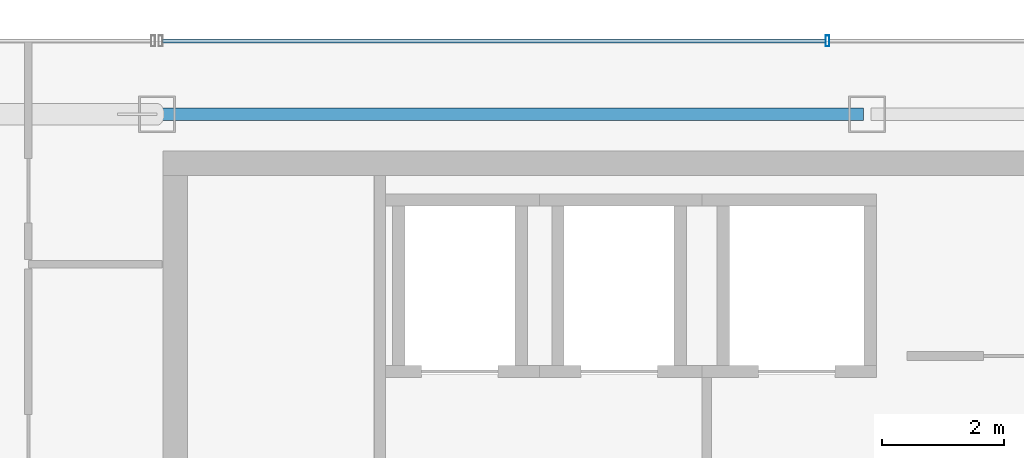
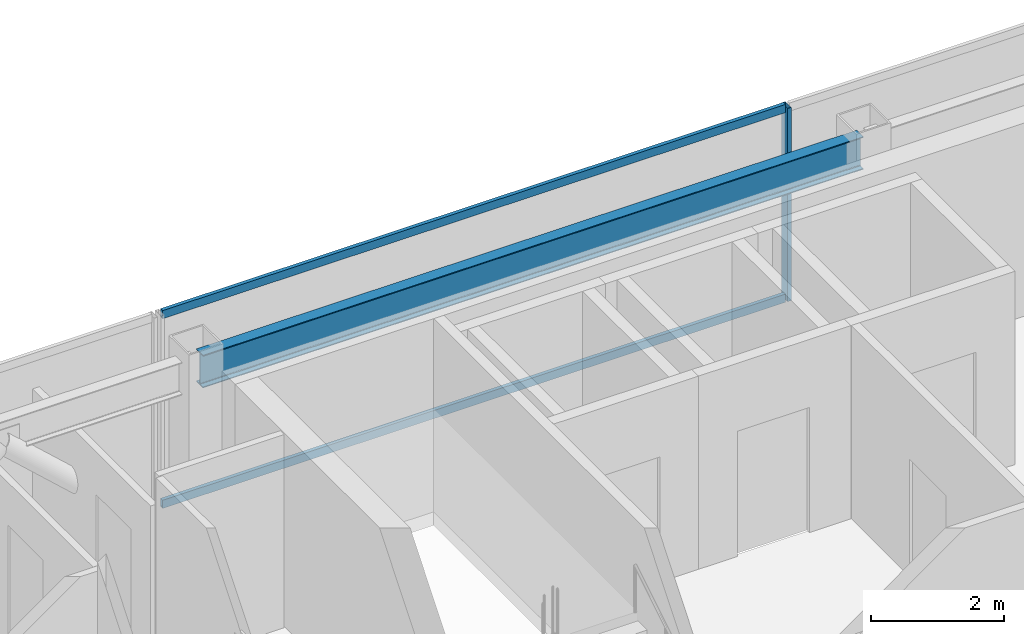
# One storey, part 10 of 24: 3 members, 1 beam, 1 element without a shape of its own.
"""IFC4 building model written with IfcOpenShell, lengths in metres."""

from ifc_helpers import new_model, si_unit, direction, frame, origin, origin_2d, place, context, subcontext, project, spatial, hollow_rectangle, i_section, extrude, material, material_profile, profile_set, type_object, element, aggregate, save


model = new_model("IFC4")

# Units and contexts
model_context = context("Model", 3, precision=1e-05, world=origin(), true_north=direction((0.0, 1.0)))
body_context = subcontext(model_context, "Body", "Model", "MODEL_VIEW")
ifc_project = project(units=[si_unit("LENGTHUNIT", "METRE"), si_unit("AREAUNIT", "SQUARE_METRE"), si_unit("VOLUMEUNIT", "CUBIC_METRE"), si_unit("PLANEANGLEUNIT", "RADIAN"), si_unit("MASSUNIT", "GRAM", prefix="KILO")], contexts=[model_context])

# Site, building, storey
site_placement = place(None, origin())
site = spatial("IfcSite", under=ifc_project, at=site_placement, CompositionType="ELEMENT")
building_placement = place(site_placement, origin())
building = spatial("IfcBuilding", under=site, at=building_placement, Name="Saevonmaru Cultural Tower", CompositionType="ELEMENT")
storey_placement = place(building_placement, frame((0.0, 0.0, 299.0)))
storey = spatial("IfcBuildingStorey", under=building, at=storey_placement, Name="L71", CompositionType="ELEMENT", Elevation=299.0)

# Beam
ifc_material_1 = material(Name="Steel SM355", Category="steel")
ifc_material_profile_1 = material_profile(ifc_material_1, i_section(OverallWidth=0.199951171875, OverallDepth=0.60009765625, WebThickness=0.010986328125, FlangeThickness=0.01708984375, FilletRadius=0.02197265625, at=origin_2d()), Name="H-600x200x11x17")
ifc_profile_set_1 = profile_set([ifc_material_profile_1], Name="Steel SM355")
beam_type = type_object("IfcBeamType", Name="BM-SP-H600", PredefinedType="SPANDREL", material=ifc_profile_set_1)
beam_placement = place(storey_placement, frame((13.659912109375, 54.800048828125, 3.25), z_axis=(1.0, 0.0, 0.0), x_axis=(0.0, 1.0, 0.0)))
element("IfcBeam", 1, at=beam_placement, inside=storey, type_object=beam_type, Name="L71 North Spine Girder 2", PredefinedType="SPANDREL", context=body_context, shape_type="SweptSolid", body=[
    extrude(i_section(OverallWidth=0.199951171875, OverallDepth=0.60009765625, WebThickness=0.010986328125, FlangeThickness=0.01708984375, FilletRadius=0.02197265625, at=origin_2d()), origin(), (0.0, 0.0, 1.0), 11.47998046875),
])

# Curtain wall, members
ifc_material_2 = material(Name="Satin Bronze Anodised Aluminium", Category="aluminium")
curtain_wall_type = type_object("IfcCurtainWallType", Name="CW-TYP-B", PredefinedType="NOTDEFINED", material=ifc_material_2)
curtain_wall_placement = place(storey_placement, origin())
curtain_wall = element("IfcCurtainWall", 2, at=curtain_wall_placement, inside=storey, type_object=curtain_wall_type, Name="L71 North Spine Unitised Curtain Wall E10B", PredefinedType="NOTDEFINED")
ifc_material_profile_2 = material_profile(ifc_material_2, hollow_rectangle(XDim=0.06494140625, YDim=0.179931640625, WallThickness=0.00390625, at=origin_2d()), Name="ALU-MULL-180x65x4")
ifc_profile_set_2 = profile_set([ifc_material_profile_2], Name="Satin Bronze Anodised Aluminium")
member_type_1 = type_object("IfcMemberType", Name="ML-CW-180x65", PredefinedType="MULLION", material=ifc_profile_set_2)
member_1_placement = place(storey_placement, frame((24.55322265625, 56.0, 0.0), z_axis=(0.0, 0.0, 1.0), x_axis=(-1.0, 0.0, 0.0)))
member_1 = element("IfcMember", 3, at=member_1_placement, type_object=member_type_1, Name="CW-TW-L71-E10B mullion 3", PredefinedType="MULLION", context=body_context, shape_type="SweptSolid", body=[
    extrude(hollow_rectangle(XDim=0.06494140625, YDim=0.179931640625, WallThickness=0.00390625, at=origin_2d()), origin(), (0.0, 0.0, 1.0), 3.550048828125),
])
ifc_material_profile_3 = material_profile(ifc_material_2, hollow_rectangle(XDim=0.06494140625, YDim=0.14990234375, WallThickness=0.00390625, at=origin_2d()), Name="ALU-TRAN-150x65x4")
ifc_profile_set_3 = profile_set([ifc_material_profile_3], Name="Satin Bronze Anodised Aluminium")
member_type_2 = type_object("IfcMemberType", Name="TR-CW-150x65", PredefinedType="USERDEFINED", material=ifc_profile_set_3)
member_2_placement = place(storey_placement, frame((24.520751953125, 56.0, 0.032470703125), z_axis=(-1.0, 0.0, 0.0), x_axis=(0.0, -1.0, 0.0)))
member_2 = element("IfcMember", 4, at=member_2_placement, type_object=member_type_2, Name="CW-TW-L71-E10B transom 3.1", ObjectType="TRANSOM", PredefinedType="USERDEFINED", context=body_context, shape_type="SweptSolid", body=[
    extrude(hollow_rectangle(XDim=0.06494140625, YDim=0.14990234375, WallThickness=0.00390625, at=origin_2d()), origin(), (0.0, 0.0, 1.0), 10.828369140625),
])
member_3_placement = place(storey_placement, frame((24.520751953125, 56.0, 3.517578125), z_axis=(-1.0, 0.0, 0.0), x_axis=(0.0, -1.0, 0.0)))
member_3 = element("IfcMember", 5, at=member_3_placement, type_object=member_type_2, Name="CW-TW-L71-E10B transom 3.2", ObjectType="TRANSOM", PredefinedType="USERDEFINED", context=body_context, shape_type="SweptSolid", body=[
    extrude(hollow_rectangle(XDim=0.06494140625, YDim=0.14990234375, WallThickness=0.00390625, at=origin_2d()), origin(), (0.0, 0.0, 1.0), 10.828369140625),
])
aggregate(curtain_wall, [member_1, member_2, member_3])

save(model, "model.ifc")
